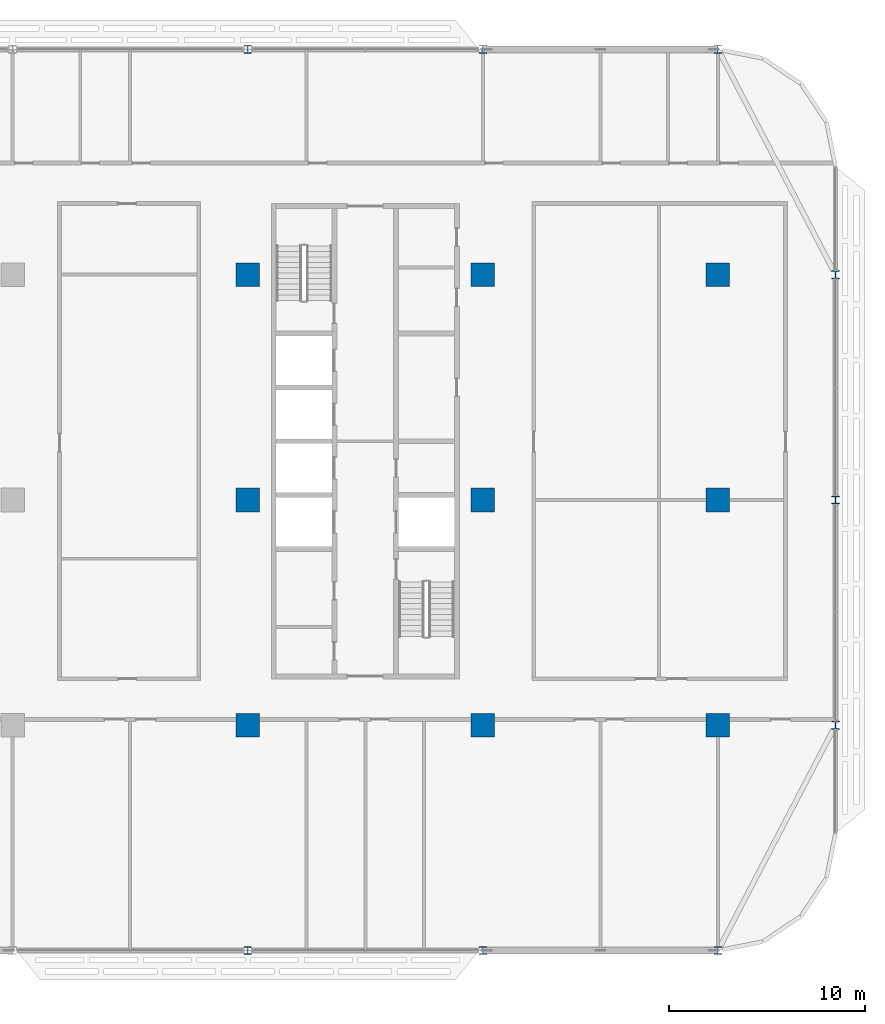
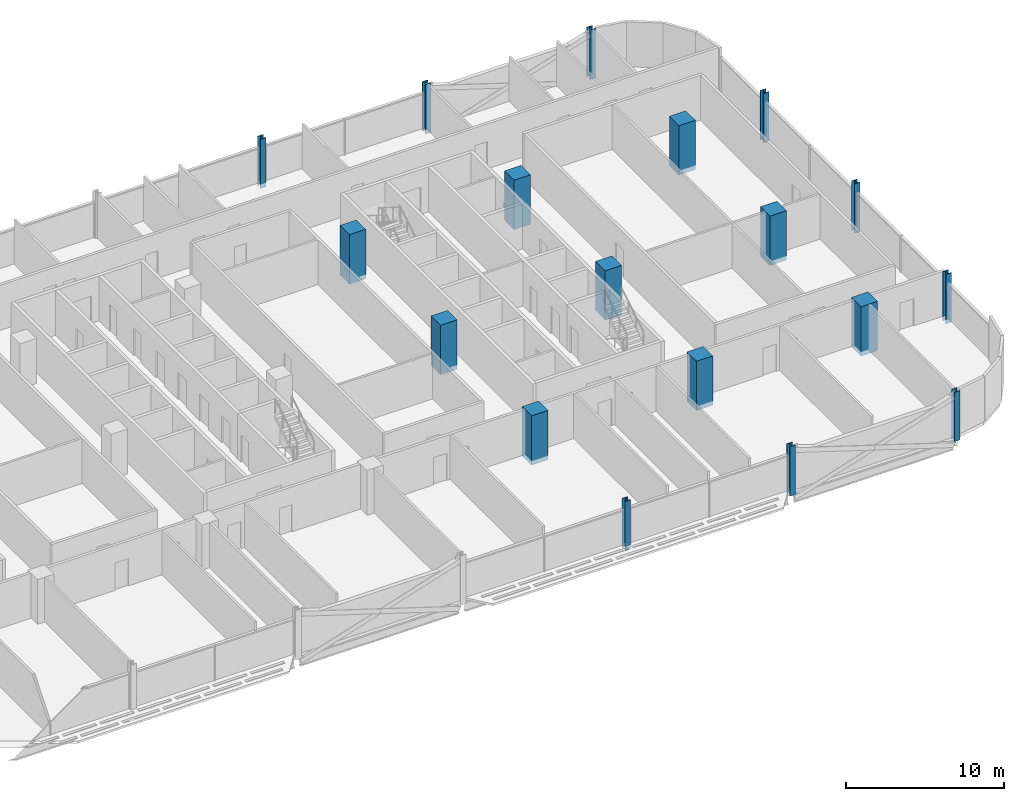
# One storey, part 2 of 27: 18 columns.
"""IFC4 building model written with IfcOpenShell, lengths in metres."""

from ifc_helpers import new_model, si_unit, direction, frame, origin, origin_2d, place, context, subcontext, project, spatial, rectangle, i_section, extrude, material, material_profile, profile_set, type_object, element, save


model = new_model("IFC4")

# Units and contexts
model_context = context("Model", 3, precision=1e-05, world=origin(), true_north=direction((0.0, 1.0)))
body_context = subcontext(model_context, "Body", "Model", "MODEL_VIEW")
ifc_project = project(units=[si_unit("LENGTHUNIT", "METRE"), si_unit("AREAUNIT", "SQUARE_METRE"), si_unit("VOLUMEUNIT", "CUBIC_METRE"), si_unit("PLANEANGLEUNIT", "RADIAN"), si_unit("MASSUNIT", "GRAM", prefix="KILO")], contexts=[model_context])

# Site, building, storey
site_placement = place(None, origin())
site = spatial("IfcSite", under=ifc_project, at=site_placement, CompositionType="ELEMENT")
building_placement = place(site_placement, origin())
building = spatial("IfcBuilding", under=site, at=building_placement, Name="Mahtab Terrace Research Tower", CompositionType="ELEMENT")
storey_placement = place(building_placement, frame((0.0, 0.0, 182.0)))
storey = spatial("IfcBuildingStorey", under=building, at=storey_placement, Name="L43", CompositionType="ELEMENT", Elevation=182.0)

# Columns
ifc_material_1 = material(Name="Concrete C70/85", Category="concrete")
ifc_material_profile_1 = material_profile(ifc_material_1, rectangle(XDim=1.199951171875, YDim=1.199951171875, at=origin_2d()), Name="RC column 1200x1200")
ifc_profile_set_1 = profile_set([ifc_material_profile_1], Name="Concrete C70/85")
column_type_1 = type_object("IfcColumnType", Name="RC column 1200x1200", PredefinedType="COLUMN", material=ifc_profile_set_1)
for number, where, z_axis, x_axis, name in (
    (1, (18.0, -11.5, -0.340087890625), (0.0, 0.0, 1.0), (1.0, 0.0, 0.0), "Column RC-6A L43"),
    (2, (18.0, 0.0, -0.340087890625), (0.0, 0.0, 1.0), (1.0, 0.0, 0.0), "Column RC-6B L43"),
    (3, (18.0, 11.5, -0.340087890625), (0.0, 0.0, 1.0), (1.0, 0.0, 0.0), "Column RC-6C L43"),
    (4, (30.0, -11.5, -0.340087890625), (0.0, 0.0, 1.0), (1.0, 0.0, 0.0), "Column RC-7A L43"),
    (5, (30.0, 0.0, -0.340087890625), (0.0, 0.0, 1.0), (1.0, 0.0, 0.0), "Column RC-7B L43"),
    (6, (30.0, 11.5, -0.340087890625), (0.0, 0.0, 1.0), (1.0, 0.0, 0.0), "Column RC-7C L43"),
    (7, (42.0, -11.5, -0.340087890625), (0.0, 0.0, 1.0), (1.0, 0.0, 0.0), "Column RC-8A L43"),
    (8, (42.0, 0.0, -0.340087890625), (0.0, 0.0, 1.0), (1.0, 0.0, 0.0), "Column RC-8B L43"),
    (9, (42.0, 11.5, -0.340087890625), (0.0, 0.0, 1.0), (1.0, 0.0, 0.0), "Column RC-8C L43"),
):
    element("IfcColumn", number, at=place(storey_placement, frame(where, z_axis=z_axis, x_axis=x_axis)), inside=storey, type_object=column_type_1, Name=name, PredefinedType="COLUMN", context=body_context, shape_type="SweptSolid", body=[
        extrude(rectangle(XDim=1.199951171875, YDim=1.199951171875, at=origin_2d()), origin(), (0.0, 0.0, 1.0), 3.800048828125),
    ])
ifc_material_2 = material(Name="Steel ASTM A992 Gr 50", Category="steel")
ifc_material_profile_2 = material_profile(ifc_material_2, i_section(OverallWidth=0.406494140625, OverallDepth=0.41650390625, WebThickness=0.030029296875, FlangeThickness=0.048095703125, at=origin_2d()), Name="W14X257")
ifc_profile_set_2 = profile_set([ifc_material_profile_2], Name="Steel ASTM A992 Gr 50")
column_type_2 = type_object("IfcColumnType", Name="W14x257 column CS14257", PredefinedType="COLUMN", material=ifc_profile_set_2)
for number, where, z_axis, x_axis, name in (
    (10, (42.0, 23.0, -0.340087890625), (0.0, 0.0, 1.0), (1.0, 0.0, 0.0), "Column SC-001 L43"),
    (11, (30.0, 23.0, -0.340087890625), (0.0, 0.0, 1.0), (1.0, 0.0, 0.0), "Column SC-002 L43"),
    (12, (18.0, 23.0, -0.340087890625), (0.0, 0.0, 1.0), (1.0, 0.0, 0.0), "Column SC-003 L43"),
    (13, (18.0, -23.0, -0.340087890625), (0.0, 0.0, 1.0), (1.0, 0.0, 0.0), "Column SC-017 L43"),
    (14, (30.0, -23.0, -0.340087890625), (0.0, 0.0, 1.0), (1.0, 0.0, 0.0), "Column SC-018 L43"),
    (15, (42.0, -23.0, -0.340087890625), (0.0, 0.0, 1.0), (1.0, 0.0, 0.0), "Column SC-019 L43"),
    (16, (48.0, -11.5, -0.340087890625), (0.0, 0.0, 1.0), (1.0, 0.0, 0.0), "Column SC-020 L43"),
    (17, (48.0, 0.0, -0.340087890625), (0.0, 0.0, 1.0), (1.0, 0.0, 0.0), "Column SC-021 L43"),
    (18, (48.0, 11.5, -0.340087890625), (0.0, 0.0, 1.0), (1.0, 0.0, 0.0), "Column SC-022 L43"),
):
    element("IfcColumn", number, at=place(storey_placement, frame(where, z_axis=z_axis, x_axis=x_axis)), inside=storey, type_object=column_type_2, Name=name, PredefinedType="COLUMN", context=body_context, shape_type="SweptSolid", body=[
        extrude(i_section(OverallWidth=0.406494140625, OverallDepth=0.41650390625, WebThickness=0.030029296875, FlangeThickness=0.048095703125, at=origin_2d()), origin(), (0.0, 0.0, 1.0), 3.800048828125),
    ])

save(model, "model.ifc")
